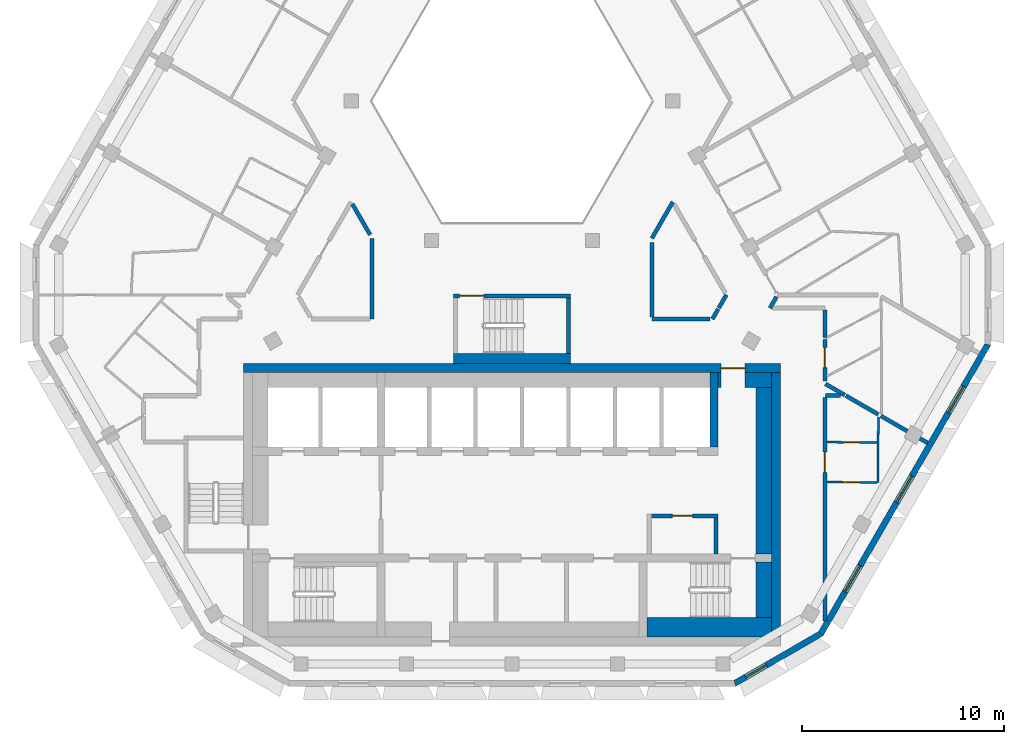
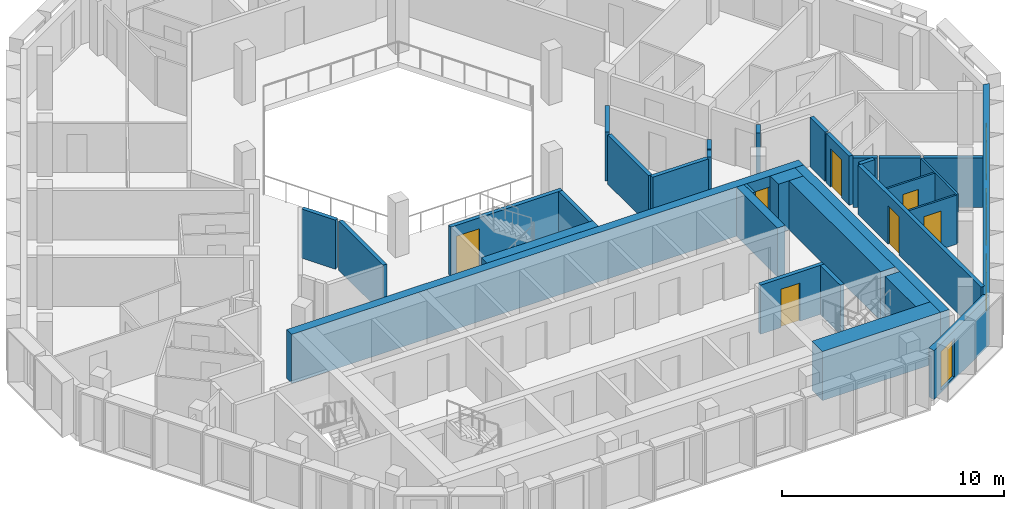
# One storey, part 5 of 15: 33 walls, 7 doors, 4 windows, 11 openings.
"""IFC4 building model written with IfcOpenShell, lengths in metres."""

from ifc_helpers import new_model, si_unit, direction, frame, frame_2d, origin, place, context, subcontext, project, spatial, polyline, rectangle, outline, extrude, material, layer, layer_set, type_object, element, fill, save


model = new_model("IFC4")

# Units and contexts
model_context = context("Model", 3, precision=1e-05, world=origin(), true_north=direction((0.0, 1.0)))
body_context = subcontext(model_context, "Body", "Model", "MODEL_VIEW")
ifc_project = project(units=[si_unit("LENGTHUNIT", "METRE"), si_unit("AREAUNIT", "SQUARE_METRE"), si_unit("VOLUMEUNIT", "CUBIC_METRE"), si_unit("PLANEANGLEUNIT", "RADIAN"), si_unit("MASSUNIT", "GRAM", prefix="KILO")], contexts=[model_context])

# Site, building, storey
site_placement = place(None, origin())
site = spatial("IfcSite", under=ifc_project, at=site_placement, CompositionType="ELEMENT")
building_placement = place(site_placement, origin())
building = spatial("IfcBuilding", under=site, at=building_placement, Name="Beryl Residences", CompositionType="ELEMENT")
storey_placement = place(building_placement, frame((0.0, 0.0, 217.800048828125)))
storey = spatial("IfcBuildingStorey", under=building, at=storey_placement, Name="L67", CompositionType="ELEMENT", Elevation=217.800048828125)

# Wall, opening, window
ifc_material_1 = material(Name="Composite metal panel with mineral wool insulation")
ifc_layer_1 = layer(ifc_material_1, 0.300048828125)
ifc_layer_set_1 = layer_set([ifc_layer_1], Name="ES1 pale metal composite panel wall 300 mm")
wall_type_1 = type_object("IfcWallType", Name="ES1 pale metal composite panel wall 300 mm", PredefinedType="SOLIDWALL", material=ifc_layer_set_1)
wall_1_placement = place(storey_placement, frame((11.010009765625, -20.8701171875, 0.0), z_axis=(0.0, 0.0, 1.0), x_axis=(0.866022959057, 0.500004234368, 0.0)))
wall_1 = element("IfcWall", 1, at=wall_1_placement, inside=storey, type_object=wall_type_1, Name="ES1 external wall L67 S-SE", PredefinedType="SOLIDWALL", context=body_context, shape_type="SweptSolid", body=[
    extrude(outline(polyline([(0.0, -0.14990234375), (5.0, -0.14990234375), (4.919677734375, 0.14990234375), (0.080322265625, 0.14990234375), (0.0, -0.14990234375)])), origin(), (0.0, 0.0, 1.0), 2.699951171875),
])
opening_1_placement = place(wall_1_placement, frame((0.64990234375, 0.0, 0.14990234375)))
opening_1 = element("IfcOpeningElement", 2, at=opening_1_placement, cuts=wall_1, Name="Opening W2", PredefinedType="OPENING", context=body_context, shape_type="SweptSolid", body=[
    extrude(rectangle(XDim=1.199951171875, YDim=2.10009765625, at=frame_2d((0.60009765625, 1.050048828125))), frame((0.0, 0.159912109375, 0.0), z_axis=(0.0, -1.0, 0.0), x_axis=(1.0, 0.0, 0.0)), (0.0, 0.0, 1.0), 0.320068359375),
])
ifc_material_2 = material(Name="Aluminium and clear glass", Category="aluminium")
window_type_1 = type_object("IfcWindowType", Name="W2 chamfer window 1200 x 2100 mm", PartitioningType="SINGLE_PANEL", PredefinedType="WINDOW", material=ifc_material_2)
window_1_placement = place(opening_1_placement, origin())
window_1 = element("IfcWindow", 3, at=window_1_placement, inside=storey, type_object=window_type_1, Name="W2 window L67 S-SE 1", OverallHeight=2.10009765625, OverallWidth=1.199951171875, PartitioningType="SINGLE_PANEL", PredefinedType="WINDOW", context=body_context, shape_type="SweptSolid", body=[
    extrude(rectangle(XDim=1.199951171875, YDim=2.10009765625, at=frame_2d((0.60009765625, 1.050048828125))), frame((0.0, 0.030029296875, 0.0), z_axis=(0.0, -1.0, 0.0), x_axis=(1.0, 0.0, 0.0)), (0.0, 0.0, 1.0), 0.06005859375),
])
fill(opening_1, window_1)

# Wall, openings, windows
wall_2_placement = place(storey_placement, frame((15.284912109375, -18.425048828125, 0.0), z_axis=(0.0, 0.0, 1.0), x_axis=(0.500012653391, 0.866018098222, 0.0)))
wall_2 = element("IfcWall", 4, at=wall_2_placement, inside=storey, type_object=wall_type_1, Name="ES1 external wall L67 SE", PredefinedType="SOLIDWALL", context=body_context, shape_type="SweptSolid", body=[
    extrude(outline(polyline([(0.0, -0.14990234375), (16.6279296875, -0.14990234375), (16.547607421875, 0.14990234375), (0.080322265625, 0.14990234375), (0.0, -0.14990234375)])), origin(), (0.0, 0.0, 1.0), 2.699951171875),
])
opening_2_placement = place(wall_2_placement, frame((2.444091796875, 0.0, 0.14990234375)))
opening_2 = element("IfcOpeningElement", 5, at=opening_2_placement, cuts=wall_2, Name="Opening W1", PredefinedType="OPENING", context=body_context, shape_type="SweptSolid", body=[
    extrude(rectangle(XDim=1.5, YDim=2.10009765625, at=frame_2d((0.75, 1.050048828125))), frame((0.0, 0.159912109375, 0.0), z_axis=(0.0, -1.0, 0.0), x_axis=(1.0, 0.0, 0.0)), (0.0, 0.0, 1.0), 0.320068359375),
])
opening_3_placement = place(wall_2_placement, frame((7.56396484375, 0.0, 0.14990234375)))
opening_3 = element("IfcOpeningElement", 6, at=opening_3_placement, cuts=wall_2, Name="Opening W1", PredefinedType="OPENING", context=body_context, shape_type="SweptSolid", body=[
    extrude(rectangle(XDim=1.5, YDim=2.10009765625, at=frame_2d((0.75, 1.050048828125))), frame((0.0, 0.159912109375, 0.0), z_axis=(0.0, -1.0, 0.0), x_axis=(1.0, 0.0, 0.0)), (0.0, 0.0, 1.0), 0.320068359375),
])
opening_4_placement = place(wall_2_placement, frame((12.681884765625, 0.0, 0.14990234375)))
opening_4 = element("IfcOpeningElement", 7, at=opening_4_placement, cuts=wall_2, Name="Opening W1", PredefinedType="OPENING", context=body_context, shape_type="SweptSolid", body=[
    extrude(rectangle(XDim=1.5, YDim=2.10009765625, at=frame_2d((0.75, 1.050048828125))), frame((0.0, 0.159912109375, 0.0), z_axis=(0.0, -1.0, 0.0), x_axis=(1.0, 0.0, 0.0)), (0.0, 0.0, 1.0), 0.320068359375),
])
ifc_material_3 = material(Name="Aluminium and clear glass", Category="aluminium")
window_type_2 = type_object("IfcWindowType", Name="W1 cell window 1500 x 2100 mm", PartitioningType="SINGLE_PANEL", PredefinedType="WINDOW", material=ifc_material_3)
window_2_placement = place(opening_2_placement, origin())
window_2 = element("IfcWindow", 8, at=window_2_placement, inside=storey, type_object=window_type_2, Name="W1 window L67 SE 2", OverallHeight=2.10009765625, OverallWidth=1.5, PartitioningType="SINGLE_PANEL", PredefinedType="WINDOW", context=body_context, shape_type="SweptSolid", body=[
    extrude(rectangle(XDim=1.5, YDim=2.10009765625, at=frame_2d((0.75, 1.050048828125))), frame((0.0, 0.030029296875, 0.0), z_axis=(0.0, -1.0, 0.0), x_axis=(1.0, 0.0, 0.0)), (0.0, 0.0, 1.0), 0.06005859375),
])
fill(opening_2, window_2)
window_3_placement = place(opening_3_placement, origin())
window_3 = element("IfcWindow", 9, at=window_3_placement, inside=storey, type_object=window_type_2, Name="W1 window L67 SE 4", OverallHeight=2.10009765625, OverallWidth=1.5, PartitioningType="SINGLE_PANEL", PredefinedType="WINDOW", context=body_context, shape_type="SweptSolid", body=[
    extrude(rectangle(XDim=1.5, YDim=2.10009765625, at=frame_2d((0.75, 1.050048828125))), frame((0.0, 0.030029296875, 0.0), z_axis=(0.0, -1.0, 0.0), x_axis=(1.0, 0.0, 0.0)), (0.0, 0.0, 1.0), 0.06005859375),
])
fill(opening_3, window_3)
window_4_placement = place(opening_4_placement, origin())
window_4 = element("IfcWindow", 10, at=window_4_placement, inside=storey, type_object=window_type_2, Name="W1 window L67 SE 6", OverallHeight=2.10009765625, OverallWidth=1.5, PartitioningType="SINGLE_PANEL", PredefinedType="WINDOW", context=body_context, shape_type="SweptSolid", body=[
    extrude(rectangle(XDim=1.5, YDim=2.10009765625, at=frame_2d((0.75, 1.050048828125))), frame((0.0, 0.030029296875, 0.0), z_axis=(0.0, -1.0, 0.0), x_axis=(1.0, 0.0, 0.0)), (0.0, 0.0, 1.0), 0.06005859375),
])
fill(opening_4, window_4)

# Wall, opening, door
ifc_material_4 = material(Name="Gypsum board partition on steel studs", Category="steel")
ifc_layer_2 = layer(ifc_material_4, 0.10009765625)
ifc_layer_set_2 = layer_set([ifc_layer_2], Name="PT1 partition 100 mm gypsum board on steel studs")
wall_type_2 = type_object("IfcWallType", Name="PT1 partition 100 mm gypsum board on steel studs", PredefinedType="PARTITIONING", material=ifc_layer_set_2)
wall_3_placement = place(storey_placement, frame((15.60009765625, -8.90087890625, 0.0), z_axis=(0.0, 0.0, 1.0), x_axis=(0.999986038514, -0.005284200615, 0.0)))
wall_3 = element("IfcWall", 11, at=wall_3_placement, inside=storey, type_object=wall_type_2, Name="Wall PT1 L67 001", PredefinedType="PARTITIONING", context=body_context, shape_type="SweptSolid", body=[
    extrude(rectangle(XDim=2.494873046875, YDim=0.10009765625, at=frame_2d((1.24755859375, 0.0))), origin(), (0.0, 0.0, 1.0), 2.699951171875),
])
opening_5_placement = place(wall_3_placement, frame((0.822998046875, 0.0, 0.0)))
opening_5 = element("IfcOpeningElement", 12, at=opening_5_placement, cuts=wall_3, Name="Opening D2132", PredefinedType="OPENING", context=body_context, shape_type="SweptSolid", body=[
    extrude(rectangle(XDim=0.800048828125, YDim=2.10009765625, at=frame_2d((0.39990234375, 1.050048828125))), frame((0.0, 0.06005859375, 0.0), z_axis=(0.0, -1.0, 0.0), x_axis=(1.0, 0.0, 0.0)), (0.0, 0.0, 1.0), 0.1201171875),
])
ifc_material_5 = material(Name="Timber door leaf", Category="wood")
door_type_1 = type_object("IfcDoorType", Name="D3 bathroom door 800 x 2100 mm", OperationType="SINGLE_SWING_LEFT", PredefinedType="DOOR", material=ifc_material_5)
door_1_placement = place(opening_5_placement, origin())
door_1 = element("IfcDoor", 13, at=door_1_placement, inside=storey, type_object=door_type_1, Name="Door D2132 L67 001", OperationType="SINGLE_SWING_RIGHT", OverallHeight=2.10009765625, OverallWidth=0.800048828125, PredefinedType="DOOR", context=body_context, shape_type="SweptSolid", body=[
    extrude(rectangle(XDim=0.800048828125, YDim=2.10009765625, at=frame_2d((0.39990234375, 1.050048828125))), frame((0.0, 0.02490234375, 0.0), z_axis=(0.0, -1.0, 0.0), x_axis=(1.0, 0.0, 0.0)), (0.0, 0.0, 1.0), 0.050048828125),
])
fill(opening_5, door_1)

wall_4_placement = place(storey_placement, frame((15.60009765625, -10.881103515625, 0.0), z_axis=(0.0, 0.0, 1.0), x_axis=(0.999986431575, -0.005209286502, 0.0)))
wall_4 = element("IfcWall", 14, at=wall_4_placement, inside=storey, type_object=wall_type_2, Name="Wall PT1 L67 002", PredefinedType="PARTITIONING", context=body_context, shape_type="SweptSolid", body=[
    extrude(rectangle(XDim=2.48388671875, YDim=0.10009765625, at=frame_2d((1.241943359375, 0.0))), origin(), (0.0, 0.0, 1.0), 2.699951171875),
])
opening_6_placement = place(wall_4_placement, frame((0.76806640625, 0.0, 0.0)))
opening_6 = element("IfcOpeningElement", 15, at=opening_6_placement, cuts=wall_4, Name="Opening D2131", PredefinedType="OPENING", context=body_context, shape_type="SweptSolid", body=[
    extrude(rectangle(XDim=0.89990234375, YDim=2.10009765625, at=frame_2d((0.449951171875, 1.050048828125))), frame((0.0, 0.06005859375, 0.0), z_axis=(0.0, -1.0, 0.0), x_axis=(1.0, 0.0, 0.0)), (0.0, 0.0, 1.0), 0.1201171875),
])
ifc_material_6 = material(Name="Timber door leaf", Category="wood")
door_type_2 = type_object("IfcDoorType", Name="D2 room door 900 x 2100 mm", OperationType="SINGLE_SWING_LEFT", PredefinedType="DOOR", material=ifc_material_6)
door_2_placement = place(opening_6_placement, origin())
door_2 = element("IfcDoor", 16, at=door_2_placement, inside=storey, type_object=door_type_2, Name="Door D2131 L67 001", OperationType="SINGLE_SWING_LEFT", OverallHeight=2.10009765625, OverallWidth=0.89990234375, PredefinedType="DOOR", context=body_context, shape_type="SweptSolid", body=[
    extrude(rectangle(XDim=0.89990234375, YDim=2.10009765625, at=frame_2d((0.449951171875, 1.050048828125))), frame((0.0, 0.02490234375, 0.0), z_axis=(0.0, -1.0, 0.0), x_axis=(1.0, 0.0, 0.0)), (0.0, 0.0, 1.0), 0.050048828125),
])
fill(opening_6, door_2)

# Wall
wall_5_placement = place(storey_placement, frame((18.135009765625, -10.89306640625, 0.0), z_axis=(0.0, 0.0, 1.0), x_axis=(0.005255182688, 0.999986191432, 0.0)))
element("IfcWall", 17, at=wall_5_placement, inside=storey, type_object=wall_type_2, Name="Wall PT1 L67 036", PredefinedType="PARTITIONING", context=body_context, shape_type="SweptSolid", body=[
    extrude(rectangle(XDim=3.251953125, YDim=0.10009765625, at=frame_2d((1.6259765625, 0.0))), origin(), (0.0, 0.0, 1.0), 2.699951171875),
])

# Wall, opening, door
ifc_material_7 = material(Name="Concrete masonry", Category="masonry")
ifc_layer_3 = layer(ifc_material_7, 0.199951171875)
ifc_layer_set_3 = layer_set([ifc_layer_3], Name="PT13 lobby wall 200 mm")
wall_type_3 = type_object("IfcWallType", Name="PT13 lobby wall 200 mm", PredefinedType="PARTITIONING", material=ifc_layer_set_3)
wall_6_placement = place(storey_placement, frame((6.89990234375, -12.550048828125, 0.0), z_axis=(0.0, 0.0, 1.0), x_axis=(1.0, 0.0, 0.0)))
wall_6 = element("IfcWall", 18, at=wall_6_placement, inside=storey, type_object=wall_type_3, Name="Lobby wall 26", PredefinedType="PARTITIONING", context=body_context, shape_type="SweptSolid", body=[
    extrude(rectangle(XDim=3.300048828125, YDim=0.199951171875, at=frame_2d((1.64990234375, 0.0))), origin(), (0.0, 0.0, 1.0), 2.699951171875),
])
opening_7_placement = place(wall_6_placement, frame((2.050048828125, 0.0, 0.0), z_axis=(0.0, 0.0, 1.0), x_axis=(-1.0, 0.0, 0.0)))
opening_7 = element("IfcOpeningElement", 19, at=opening_7_placement, cuts=wall_6, Name="Opening CD-D-A1", PredefinedType="OPENING", context=body_context, shape_type="SweptSolid", body=[
    extrude(rectangle(XDim=1.0, YDim=2.10009765625, at=frame_2d((0.5, 1.050048828125))), frame((0.0, 0.10986328125, 0.0), z_axis=(0.0, -1.0, 0.0), x_axis=(1.0, 0.0, 0.0)), (0.0, 0.0, 1.0), 0.219970703125),
])
ifc_material_8 = material(Name="Steel door leaf in steel frame", Category="steel")
door_type_3 = type_object("IfcDoorType", Name="D18 service room door 1000 x 2100 mm", OperationType="SINGLE_SWING_LEFT", PredefinedType="DOOR", material=ifc_material_8)
door_3_placement = place(opening_7_placement, origin())
door_3 = element("IfcDoor", 20, at=door_3_placement, inside=storey, type_object=door_type_3, Name="Door CD-D-A1 L67 001", OperationType="SINGLE_SWING_RIGHT", OverallHeight=2.10009765625, OverallWidth=1.0, PredefinedType="DOOR", context=body_context, shape_type="SweptSolid", body=[
    extrude(rectangle(XDim=1.0, YDim=2.10009765625, at=frame_2d((0.5, 1.050048828125))), frame((0.0, 0.02490234375, 0.0), z_axis=(0.0, -1.0, 0.0), x_axis=(1.0, 0.0, 0.0)), (0.0, 0.0, 1.0), 0.050048828125),
])
fill(opening_7, door_3)

# Walls
wall_7_placement = place(storey_placement, frame((10.10009765625, -14.449951171875, 0.0), z_axis=(0.0, 0.0, 1.0), x_axis=(0.0, 1.0, 0.0)))
element("IfcWall", 21, at=wall_7_placement, inside=storey, type_object=wall_type_3, Name="Lobby wall 28", PredefinedType="PARTITIONING", context=body_context, shape_type="SweptSolid", body=[
    extrude(rectangle(XDim=1.800048828125, YDim=0.199951171875, at=frame_2d((0.89990234375, 0.0))), origin(), (0.0, 0.0, 1.0), 2.699951171875),
])
ifc_material_9 = material(Name="Concrete masonry", Category="masonry")
ifc_layer_4 = layer(ifc_material_9, 0.14990234375)
ifc_layer_set_4 = layer_set([ifc_layer_4], Name="PT13-150 lobby wall 150 mm")
wall_type_4 = type_object("IfcWallType", Name="PT13-150 lobby wall 150 mm", PredefinedType="PARTITIONING", material=ifc_layer_set_4)
wall_8_placement = place(storey_placement, frame((10.27490234375, -6.199951171875, 0.0), z_axis=(0.0, 0.0, 1.0), x_axis=(0.0, 1.0, 0.0)))
element("IfcWall", 22, at=wall_8_placement, inside=storey, type_object=wall_type_4, Name="Lobby wall 29", PredefinedType="PARTITIONING", context=body_context, shape_type="SweptSolid", body=[
    extrude(rectangle(XDim=0.75, YDim=0.14990234375, at=frame_2d((0.375, 0.0))), origin(), (0.0, 0.0, 1.0), 2.699951171875),
])
ifc_material_10 = material(Name="Concrete masonry", Category="masonry")
ifc_layer_5 = layer(ifc_material_10, 0.75)
ifc_layer_set_5 = layer_set([ifc_layer_5], Name="PT13-750 lobby wall 750 mm")
wall_type_5 = type_object("IfcWallType", Name="PT13-750 lobby wall 750 mm", PredefinedType="PARTITIONING", material=ifc_layer_set_5)
wall_9_placement = place(storey_placement, frame((11.550048828125, -5.824951171875, 0.0), z_axis=(0.0, 0.0, 1.0), x_axis=(1.0, 0.0, 0.0)))
element("IfcWall", 23, at=wall_9_placement, inside=storey, type_object=wall_type_5, Name="Lobby wall 30", PredefinedType="PARTITIONING", context=body_context, shape_type="SweptSolid", body=[
    extrude(rectangle(XDim=1.300048828125, YDim=0.75, at=frame_2d((0.64990234375, 0.0))), origin(), (0.0, 0.0, 1.0), 2.699951171875),
])
wall_10_placement = place(storey_placement, frame((12.47509765625, -14.449951171875, 0.0), z_axis=(0.0, 0.0, 1.0), x_axis=(0.0, 1.0, 0.0)))
element("IfcWall", 24, at=wall_10_placement, inside=storey, type_object=wall_type_5, Name="Lobby wall 32", PredefinedType="PARTITIONING", context=body_context, shape_type="SweptSolid", body=[
    extrude(rectangle(XDim=8.25, YDim=0.75, at=frame_2d((4.125, 0.0))), origin(), (0.0, 0.0, 1.0), 2.699951171875),
])
ifc_material_11 = material(Name="Acoustic double stud gypsum board wall")
ifc_layer_6 = layer(ifc_material_11, 0.199951171875)
ifc_layer_set_6 = layer_set([ifc_layer_6], Name="PT3 party wall 200 mm acoustic double stud")
wall_type_6 = type_object("IfcWallType", Name="PT3 party wall 200 mm acoustic double stud", PredefinedType="PARTITIONING", material=ifc_layer_set_6)
wall_11_placement = place(storey_placement, frame((15.530029296875, -6.591064453125, 0.0), z_axis=(0.0, 0.0, 1.0), x_axis=(0.999992350786, -0.003911312976, 0.0)))
element("IfcWall", 25, at=wall_11_placement, inside=storey, type_object=wall_type_6, Name="Wall PT3 L67 001", PredefinedType="PARTITIONING", context=body_context, shape_type="SweptSolid", body=[
    extrude(rectangle(XDim=0.7490234375, YDim=0.199951171875, at=frame_2d((0.37451171875, 0.0))), origin(), (0.0, 0.0, 1.0), 2.699951171875),
])
wall_12_placement = place(storey_placement, frame((15.530029296875, -6.011962890625, 0.0), z_axis=(0.0, 0.0, 1.0), x_axis=(0.866075331272, -0.499913513082, 0.0)))
element("IfcWall", 26, at=wall_12_placement, inside=storey, type_object=wall_type_6, Name="Wall PT3 L67 007", PredefinedType="PARTITIONING", context=body_context, shape_type="SweptSolid", body=[
    extrude(rectangle(XDim=1.106201171875, YDim=0.199951171875, at=frame_2d((0.55322265625, 0.0))), origin(), (0.0, 0.0, 1.0), 2.699951171875),
])
wall_13_placement = place(storey_placement, frame((16.541015625, -6.595947265625, 0.0), z_axis=(0.0, 0.0, 1.0), x_axis=(0.866078502609, -0.499908018857, 0.0)))
element("IfcWall", 27, at=wall_13_placement, inside=storey, type_object=wall_type_6, Name="Wall PT3 L67 008", PredefinedType="PARTITIONING", context=body_context, shape_type="SweptSolid", body=[
    extrude(rectangle(XDim=1.860107421875, YDim=0.199951171875, at=frame_2d((0.93017578125, 0.0))), origin(), (0.0, 0.0, 1.0), 2.699951171875),
])
wall_14_placement = place(storey_placement, frame((18.280029296875, -7.60009765625, 0.0), z_axis=(0.0, 0.0, 1.0), x_axis=(0.866072847874, -0.499917815422, 0.0)))
element("IfcWall", 28, at=wall_14_placement, inside=storey, type_object=wall_type_6, Name="Wall PT3 L67 009", PredefinedType="PARTITIONING", context=body_context, shape_type="SweptSolid", body=[
    extrude(rectangle(XDim=2.66845703125, YDim=0.199951171875, at=frame_2d((1.334228515625, 0.0))), origin(), (0.0, 0.0, 1.0), 2.699951171875),
])
ifc_material_12 = material(Name="Double stud gypsum board wall")
ifc_layer_7 = layer(ifc_material_12, 0.199951171875)
ifc_layer_set_7 = layer_set([ifc_layer_7], Name="PT4 corridor wall 200 mm double stud")
wall_type_7 = type_object("IfcWallType", Name="PT4 corridor wall 200 mm double stud", PredefinedType="PARTITIONING", material=ifc_layer_set_7)
wall_15_placement = place(storey_placement, frame((-7.908935546875, 2.89794921875, 0.0), z_axis=(0.0, 0.0, 1.0), x_axis=(0.50019444547, -0.865913111531, 0.0)))
element("IfcWall", 29, at=wall_15_placement, inside=storey, type_object=wall_type_7, Name="Wall PT4 L67 002", PredefinedType="PARTITIONING", context=body_context, shape_type="SweptSolid", body=[
    extrude(rectangle(XDim=1.760986328125, YDim=0.199951171875, at=frame_2d((0.88037109375, 0.0))), origin(), (0.0, 0.0, 1.0), 2.699951171875),
])
wall_16_placement = place(storey_placement, frame((6.927978515625, 1.0, 0.0), z_axis=(0.0, 0.0, 1.0), x_axis=(0.0, -1.0, 0.0)))
element("IfcWall", 30, at=wall_16_placement, inside=storey, type_object=wall_type_7, Name="Wall PT4 L67 009", PredefinedType="PARTITIONING", context=body_context, shape_type="SweptSolid", body=[
    extrude(rectangle(XDim=3.698974609375, YDim=0.199951171875, at=frame_2d((1.849609375, 0.0))), origin(), (0.0, 0.0, 1.0), 2.699951171875),
])
wall_17_placement = place(storey_placement, frame((15.5, -2.35595703125, 0.0), z_axis=(0.0, 0.0, 1.0), x_axis=(0.0, -1.0, 0.0)))
element("IfcWall", 31, at=wall_17_placement, inside=storey, type_object=wall_type_7, Name="Wall PT4 L67 010", PredefinedType="PARTITIONING", context=body_context, shape_type="SweptSolid", body=[
    extrude(rectangle(XDim=1.35400390625, YDim=0.199951171875, at=frame_2d((0.677001953125, 0.0))), origin(), (0.0, 0.0, 1.0), 2.699951171875),
])
wall_18_placement = place(storey_placement, frame((6.928955078125, -2.800048828125, 0.0), z_axis=(0.0, 0.0, 1.0), x_axis=(1.0, 0.0, 0.0)))
element("IfcWall", 32, at=wall_18_placement, inside=storey, type_object=wall_type_7, Name="Wall PT4 L67 016", PredefinedType="PARTITIONING", context=body_context, shape_type="SweptSolid", body=[
    extrude(rectangle(XDim=2.885009765625, YDim=0.199951171875, at=frame_2d((1.4423828125, 0.0))), origin(), (0.0, 0.0, 1.0), 2.699951171875),
])
wall_19_placement = place(storey_placement, frame((6.927978515625, 1.199951171875, 0.0), z_axis=(0.0, 0.0, 1.0), x_axis=(0.500132712588, 0.865948768577, 0.0)))
element("IfcWall", 33, at=wall_19_placement, inside=storey, type_object=wall_type_7, Name="Wall PT4 L67 018", PredefinedType="PARTITIONING", context=body_context, shape_type="SweptSolid", body=[
    extrude(rectangle(XDim=2.07763671875, YDim=0.199951171875, at=frame_2d((1.038818359375, 0.0))), origin(), (0.0, 0.0, 1.0), 2.699951171875),
])
wall_20_placement = place(storey_placement, frame((9.929931640625, -2.800048828125, 0.0), z_axis=(0.0, 0.0, 1.0), x_axis=(0.500164219654, 0.865930570761, 0.0)))
element("IfcWall", 34, at=wall_20_placement, inside=storey, type_object=wall_type_7, Name="Wall PT4 L67 020", PredefinedType="PARTITIONING", context=body_context, shape_type="SweptSolid", body=[
    extrude(rectangle(XDim=0.573974609375, YDim=0.199951171875, at=frame_2d((0.287109375, 0.0))), origin(), (0.0, 0.0, 1.0), 2.699951171875),
])
wall_21_placement = place(storey_placement, frame((10.243896484375, -2.2548828125, 0.0), z_axis=(0.0, 0.0, 1.0), x_axis=(0.50109986513, 0.865389464442, 0.0)))
element("IfcWall", 35, at=wall_21_placement, inside=storey, type_object=wall_type_7, Name="Wall PT4 L67 021", PredefinedType="PARTITIONING", context=body_context, shape_type="SweptSolid", body=[
    extrude(rectangle(XDim=0.756591796875, YDim=0.199951171875, at=frame_2d((0.37841796875, 0.0))), origin(), (0.0, 0.0, 1.0), 2.699951171875),
])
wall_22_placement = place(storey_placement, frame((12.784912109375, -2.25390625, 0.0), z_axis=(0.0, 0.0, 1.0), x_axis=(0.500766044352, 0.865582675903, 0.0)))
element("IfcWall", 36, at=wall_22_placement, inside=storey, type_object=wall_type_7, Name="Wall PT4 L67 022", PredefinedType="PARTITIONING", context=body_context, shape_type="SweptSolid", body=[
    extrude(rectangle(XDim=0.64111328125, YDim=0.199951171875, at=frame_2d((0.320556640625, 0.0))), origin(), (0.0, 0.0, 1.0), 2.699951171875),
])

# Wall, opening, door
wall_23_placement = place(storey_placement, frame((15.5, -17.751953125, 0.0), z_axis=(0.0, 0.0, 1.0), x_axis=(0.0, 1.0, 0.0)))
wall_23 = element("IfcWall", 37, at=wall_23_placement, inside=storey, type_object=wall_type_7, Name="Wall PT4 L67 026", PredefinedType="PARTITIONING", context=body_context, shape_type="SweptSolid", body=[
    extrude(rectangle(XDim=11.06201171875, YDim=0.199951171875, at=frame_2d((5.531005859375, 0.0))), origin(), (0.0, 0.0, 1.0), 2.699951171875),
])
opening_8_placement = place(wall_23_placement, frame((7.361083984375, 0.0, 0.0)))
opening_8 = element("IfcOpeningElement", 38, at=opening_8_placement, cuts=wall_23, Name="Opening D2130", PredefinedType="OPENING", context=body_context, shape_type="SweptSolid", body=[
    extrude(rectangle(XDim=1.0, YDim=2.10009765625, at=frame_2d((0.5, 1.050048828125))), frame((0.0, 0.10986328125, 0.0), z_axis=(0.0, -1.0, 0.0), x_axis=(1.0, 0.0, 0.0)), (0.0, 0.0, 1.0), 0.219970703125),
])
ifc_material_13 = material(Name="Timber door leaf", Category="wood")
door_type_4 = type_object("IfcDoorType", Name="D1 flat entrance door 1000 x 2100 mm", OperationType="SINGLE_SWING_LEFT", PredefinedType="DOOR", material=ifc_material_13)
door_4_placement = place(opening_8_placement, origin())
door_4 = element("IfcDoor", 39, at=door_4_placement, inside=storey, type_object=door_type_4, Name="Door D2130 L67 001", OperationType="SINGLE_SWING_RIGHT", OverallHeight=2.10009765625, OverallWidth=1.0, PredefinedType="DOOR", context=body_context, shape_type="SweptSolid", body=[
    extrude(rectangle(XDim=1.0, YDim=2.10009765625, at=frame_2d((0.5, 1.050048828125))), frame((0.0, 0.02490234375, 0.0), z_axis=(0.0, -1.0, 0.0), x_axis=(1.0, 0.0, 0.0)), (0.0, 0.0, 1.0), 0.050048828125),
])
fill(opening_8, door_4)

wall_24_placement = place(storey_placement, frame((15.5, -5.87890625, 0.0), z_axis=(0.0, 0.0, 1.0), x_axis=(0.0, 1.0, 0.0)))
wall_24 = element("IfcWall", 40, at=wall_24_placement, inside=storey, type_object=wall_type_7, Name="Wall PT4 L67 027", PredefinedType="PARTITIONING", context=body_context, shape_type="SweptSolid", body=[
    extrude(rectangle(XDim=2.055908203125, YDim=0.199951171875, at=frame_2d((1.02783203125, 0.0))), origin(), (0.0, 0.0, 1.0), 2.699951171875),
])
opening_9_placement = place(wall_24_placement, frame((0.66796875, 0.0, 0.0)))
opening_9 = element("IfcOpeningElement", 41, at=opening_9_placement, cuts=wall_24, Name="Opening D2133", PredefinedType="OPENING", context=body_context, shape_type="SweptSolid", body=[
    extrude(rectangle(XDim=1.0, YDim=2.10009765625, at=frame_2d((0.5, 1.050048828125))), frame((0.0, 0.10986328125, 0.0), z_axis=(0.0, -1.0, 0.0), x_axis=(1.0, 0.0, 0.0)), (0.0, 0.0, 1.0), 0.219970703125),
])
door_5_placement = place(opening_9_placement, origin())
door_5 = element("IfcDoor", 42, at=door_5_placement, inside=storey, type_object=door_type_4, Name="Door D2133 L67 001", OperationType="SINGLE_SWING_LEFT", OverallHeight=2.10009765625, OverallWidth=1.0, PredefinedType="DOOR", context=body_context, shape_type="SweptSolid", body=[
    extrude(rectangle(XDim=1.0, YDim=2.10009765625, at=frame_2d((0.5, 1.050048828125))), frame((0.0, 0.02490234375, 0.0), z_axis=(0.0, -1.0, 0.0), x_axis=(1.0, 0.0, 0.0)), (0.0, 0.0, 1.0), 0.050048828125),
])
fill(opening_9, door_5)

# Wall
wall_25_placement = place(storey_placement, frame((-6.927978515625, -2.799072265625, 0.0), z_axis=(0.0, 0.0, 1.0), x_axis=(0.0, 1.0, 0.0)))
element("IfcWall", 43, at=wall_25_placement, inside=storey, type_object=wall_type_7, Name="Wall PT4 L67 028", PredefinedType="PARTITIONING", context=body_context, shape_type="SweptSolid", body=[
    extrude(rectangle(XDim=3.9990234375, YDim=0.199951171875, at=frame_2d((1.99951171875, 0.0))), origin(), (0.0, 0.0, 1.0), 2.699951171875),
])

# Wall, opening, door
ifc_material_14 = material(Name="Concrete C40/50", Category="concrete")
ifc_layer_8 = layer(ifc_material_14, 0.199951171875)
ifc_layer_set_8 = layer_set([ifc_layer_8], Name="PT5 stair enclosure wall 200 mm reinforced concrete C40/50")
wall_type_8 = type_object("IfcWallType", Name="PT5 stair enclosure wall 200 mm reinforced concrete C40/50", PredefinedType="SOLIDWALL", material=ifc_layer_set_8)
wall_26_placement = place(storey_placement, frame((-2.89990234375, -1.64990234375, 0.0), z_axis=(0.0, 0.0, 1.0), x_axis=(1.0, 0.0, 0.0)))
wall_26 = element("IfcWall", 44, at=wall_26_placement, inside=storey, type_object=wall_type_8, Name="Wall PT5 L67 001", PredefinedType="SOLIDWALL", context=body_context, shape_type="SweptSolid", body=[
    extrude(rectangle(XDim=5.7998046875, YDim=0.199951171875, at=frame_2d((2.89990234375, 0.0))), origin(), (0.0, 0.0, 1.0), 2.699951171875),
])
opening_10_placement = place(wall_26_placement, frame((0.300048828125, 0.0, 0.0)))
opening_10 = element("IfcOpeningElement", 45, at=opening_10_placement, cuts=wall_26, Name="Opening DS04", PredefinedType="OPENING", context=body_context, shape_type="SweptSolid", body=[
    extrude(rectangle(XDim=1.199951171875, YDim=2.10009765625, at=frame_2d((0.60009765625, 1.050048828125))), frame((0.0, 0.10986328125, 0.0), z_axis=(0.0, -1.0, 0.0), x_axis=(1.0, 0.0, 0.0)), (0.0, 0.0, 1.0), 0.219970703125),
])
ifc_material_15 = material(Name="Steel door leaf in steel frame", Category="steel")
door_type_5 = type_object("IfcDoorType", Name="D4 stair door 1200 x 2100 mm", OperationType="SINGLE_SWING_LEFT", PredefinedType="DOOR", material=ifc_material_15)
door_6_placement = place(opening_10_placement, origin())
door_6 = element("IfcDoor", 46, at=door_6_placement, inside=storey, type_object=door_type_5, Name="Door DS04 L67 001", OperationType="SINGLE_SWING_LEFT", OverallHeight=2.10009765625, OverallWidth=1.199951171875, PredefinedType="DOOR", context=body_context, shape_type="SweptSolid", body=[
    extrude(rectangle(XDim=1.199951171875, YDim=2.10009765625, at=frame_2d((0.60009765625, 1.050048828125))), frame((0.0, 0.02490234375, 0.0), z_axis=(0.0, -1.0, 0.0), x_axis=(1.0, 0.0, 0.0)), (0.0, 0.0, 1.0), 0.050048828125),
])
fill(opening_10, door_6)

# Walls
wall_27_placement = place(storey_placement, frame((2.800048828125, -4.5, 0.0), z_axis=(0.0, 0.0, 1.0), x_axis=(0.0, 1.0, 0.0)))
element("IfcWall", 47, at=wall_27_placement, inside=storey, type_object=wall_type_8, Name="Wall PT5 L67 003", PredefinedType="SOLIDWALL", context=body_context, shape_type="SweptSolid", body=[
    extrude(rectangle(XDim=2.75, YDim=0.199951171875, at=frame_2d((1.375, 0.0))), origin(), (0.0, 0.0, 1.0), 2.699951171875),
])
ifc_material_16 = material(Name="Concrete C40/50", Category="concrete")
ifc_layer_9 = layer(ifc_material_16, 0.5)
ifc_layer_set_9 = layer_set([ifc_layer_9], Name="PT5-500 stair enclosure wall 500 mm")
wall_type_9 = type_object("IfcWallType", Name="PT5-500 stair enclosure wall 500 mm", PredefinedType="SOLIDWALL", material=ifc_layer_set_9)
wall_28_placement = place(storey_placement, frame((-2.89990234375, -4.75, 0.0), z_axis=(0.0, 0.0, 1.0), x_axis=(1.0, 0.0, 0.0)))
element("IfcWall", 48, at=wall_28_placement, inside=storey, type_object=wall_type_9, Name="Wall PT5-500 L67 001", PredefinedType="SOLIDWALL", context=body_context, shape_type="SweptSolid", body=[
    extrude(rectangle(XDim=5.7998046875, YDim=0.5, at=frame_2d((2.89990234375, 0.0))), origin(), (0.0, 0.0, 1.0), 2.699951171875),
])
ifc_material_17 = material(Name="Concrete C40/50", Category="concrete")
ifc_layer_10 = layer(ifc_material_17, 0.75)
ifc_layer_set_10 = layer_set([ifc_layer_10], Name="PT5-750 stair enclosure wall 750 mm")
wall_type_10 = type_object("IfcWallType", Name="PT5-750 stair enclosure wall 750 mm", PredefinedType="SOLIDWALL", material=ifc_layer_set_10)
wall_29_placement = place(storey_placement, frame((12.47509765625, -17.60009765625, 0.0), z_axis=(0.0, 0.0, 1.0), x_axis=(0.0, 1.0, 0.0)))
element("IfcWall", 49, at=wall_29_placement, inside=storey, type_object=wall_type_10, Name="Stair wall 31", PredefinedType="SOLIDWALL", context=body_context, shape_type="SweptSolid", body=[
    extrude(rectangle(XDim=2.75, YDim=0.75, at=frame_2d((1.375, 0.0))), origin(), (0.0, 0.0, 1.0), 2.699951171875),
])
ifc_material_18 = material(Name="Concrete C40/50", Category="concrete")
ifc_layer_11 = layer(ifc_material_18, 0.949951171875)
ifc_layer_set_11 = layer_set([ifc_layer_11], Name="PT5-950 stair enclosure wall 950 mm")
wall_type_11 = type_object("IfcWallType", Name="PT5-950 stair enclosure wall 950 mm", PredefinedType="SOLIDWALL", material=ifc_layer_set_11)
wall_30_placement = place(storey_placement, frame((6.699951171875, -18.074951171875, 0.0), z_axis=(0.0, 0.0, 1.0), x_axis=(1.0, 0.0, 0.0)))
element("IfcWall", 50, at=wall_30_placement, inside=storey, type_object=wall_type_11, Name="Stair wall 24", PredefinedType="SOLIDWALL", context=body_context, shape_type="SweptSolid", body=[
    extrude(rectangle(XDim=6.150146484375, YDim=0.949951171875, at=frame_2d((3.0751953125, 0.0))), origin(), (0.0, 0.0, 1.0), 2.699951171875),
])
ifc_material_19 = material(Name="Concrete C50/60", Category="concrete")
ifc_layer_12 = layer(ifc_material_19, 0.39990234375)
ifc_layer_set_12 = layer_set([ifc_layer_12], Name="SW10 core internal wall 400 mm C50/60")
wall_type_12 = type_object("IfcWallType", Name="SW10 core internal wall 400 mm C50/60", PredefinedType="SHEAR", material=ifc_layer_set_12)
wall_31_placement = place(storey_placement, frame((10.0, -9.14990234375, 0.0), z_axis=(0.0, 0.0, 1.0), x_axis=(0.0, 1.0, 0.0)))
element("IfcWall", 51, at=wall_31_placement, inside=storey, type_object=wall_type_12, Name="Core wall XN2 L67", PredefinedType="SHEAR", context=body_context, shape_type="SweptSolid", body=[
    extrude(rectangle(XDim=3.699951171875, YDim=0.39990234375, at=frame_2d((1.85009765625, 0.0))), origin(), (0.0, 0.0, 1.0), 2.699951171875),
])

# Wall, opening, door
ifc_material_20 = material(Name="Concrete C50/60", Category="concrete")
ifc_layer_13 = layer(ifc_material_20, 0.449951171875)
ifc_layer_set_13 = layer_set([ifc_layer_13], Name="SW5 core outer wall 450 mm C50/60")
wall_type_13 = type_object("IfcWallType", Name="SW5 core outer wall 450 mm C50/60", PredefinedType="SHEAR", material=ifc_layer_set_13)
wall_32_placement = place(storey_placement, frame((-13.300048828125, -5.22509765625, 0.0), z_axis=(0.0, 0.0, 1.0), x_axis=(1.0, 0.0, 0.0)))
wall_32 = element("IfcWall", 52, at=wall_32_placement, inside=storey, type_object=wall_type_13, Name="Core wall N L67", PredefinedType="SHEAR", context=body_context, shape_type="SweptSolid", body=[
    extrude(rectangle(XDim=26.60009765625, YDim=0.449951171875, at=frame_2d((13.300048828125, 0.0))), origin(), (0.0, 0.0, 1.0), 2.699951171875),
])
opening_11_placement = place(wall_32_placement, frame((23.64990234375, 0.0, 0.0)))
opening_11 = element("IfcOpeningElement", 53, at=opening_11_placement, cuts=wall_32, Name="Opening FD-NORTH", PredefinedType="OPENING", context=body_context, shape_type="SweptSolid", body=[
    extrude(rectangle(XDim=1.199951171875, YDim=2.10009765625, at=frame_2d((0.60009765625, 1.050048828125))), frame((0.0, 0.23486328125, 0.0), z_axis=(0.0, -1.0, 0.0), x_axis=(1.0, 0.0, 0.0)), (0.0, 0.0, 1.0), 0.469970703125),
])
ifc_material_21 = material(Name="Steel door leaf in steel frame", Category="steel")
door_type_6 = type_object("IfcDoorType", Name="D22 lobby door 1200 x 2100 mm", OperationType="DOUBLE_DOOR_SINGLE_SWING", PredefinedType="DOOR", material=ifc_material_21)
door_7_placement = place(opening_11_placement, origin())
door_7 = element("IfcDoor", 54, at=door_7_placement, inside=storey, type_object=door_type_6, Name="Door FD-NORTH L67 001", OperationType="DOUBLE_DOOR_SINGLE_SWING", OverallHeight=2.10009765625, OverallWidth=1.199951171875, PredefinedType="DOOR", context=body_context, shape_type="SweptSolid", body=[
    extrude(rectangle(XDim=1.199951171875, YDim=2.10009765625, at=frame_2d((0.60009765625, 1.050048828125))), frame((0.0, 0.02490234375, 0.0), z_axis=(0.0, -1.0, 0.0), x_axis=(1.0, 0.0, 0.0)), (0.0, 0.0, 1.0), 0.050048828125),
])
fill(opening_11, door_7)

# Wall
wall_33_placement = place(storey_placement, frame((13.074951171875, -18.550048828125, 0.0), z_axis=(0.0, 0.0, 1.0), x_axis=(0.0, 1.0, 0.0)))
element("IfcWall", 55, at=wall_33_placement, inside=storey, type_object=wall_type_13, Name="Core wall E L67", PredefinedType="SHEAR", context=body_context, shape_type="SweptSolid", body=[
    extrude(rectangle(XDim=13.10009765625, YDim=0.449951171875, at=frame_2d((6.550048828125, 0.0))), origin(), (0.0, 0.0, 1.0), 2.699951171875),
])

save(model, "model.ifc")
